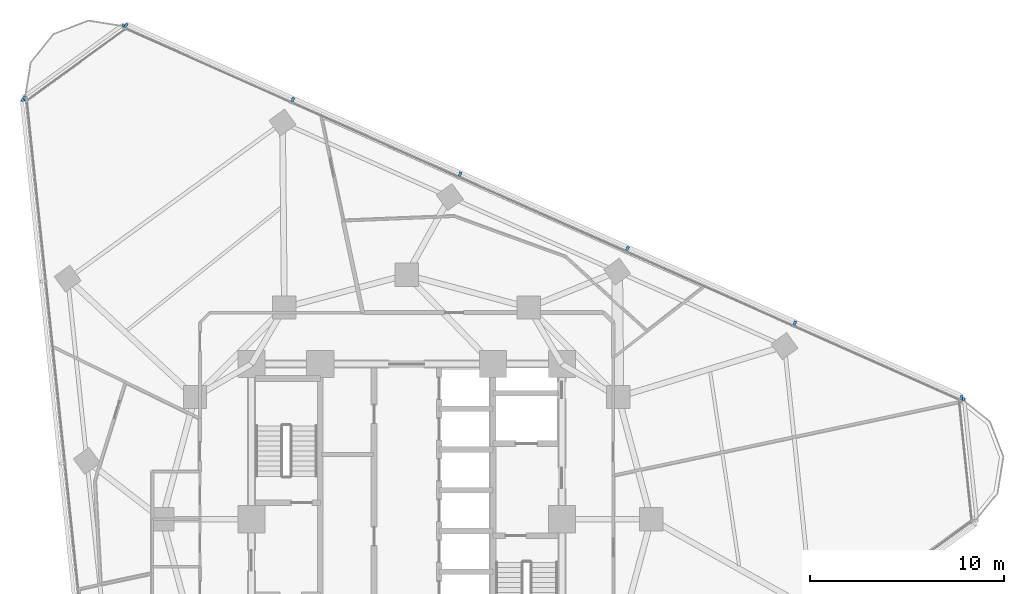
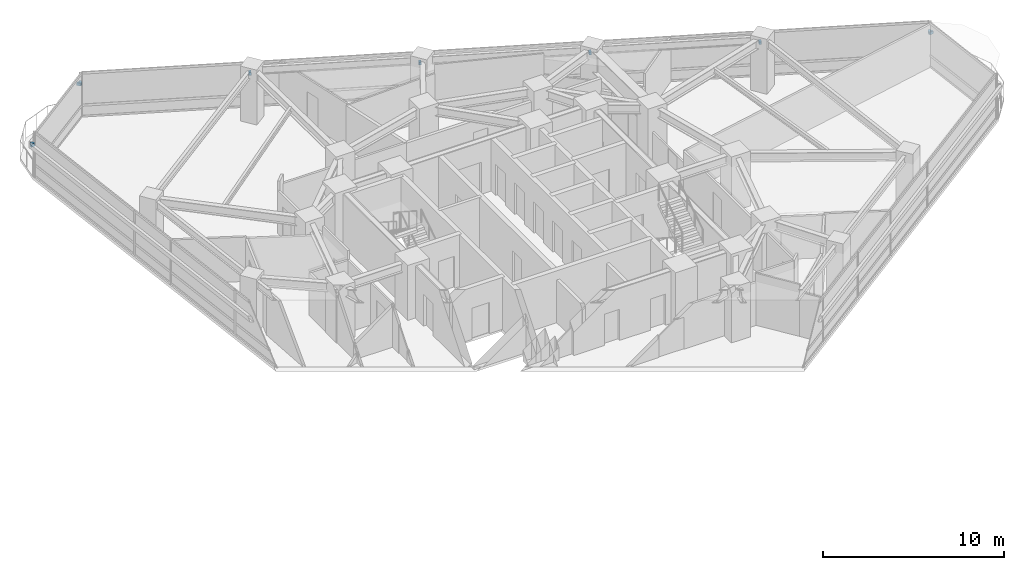
# One storey, part 11 of 14: 10 discrete accessories.
"""IFC4 building model written with IfcOpenShell, lengths in metres."""

from ifc_helpers import new_model, si_unit, direction, frame, origin, origin_2d, place, context, subcontext, project, spatial, rectangle, extrude, material, type_object, element, save


model = new_model("IFC4")

# Units and contexts
model_context = context("Model", 3, precision=1e-05, world=origin(), true_north=direction((0.0, 1.0)))
body_context = subcontext(model_context, "Body", "Model", "MODEL_VIEW")
ifc_project = project(units=[si_unit("LENGTHUNIT", "METRE"), si_unit("AREAUNIT", "SQUARE_METRE"), si_unit("VOLUMEUNIT", "CUBIC_METRE"), si_unit("PLANEANGLEUNIT", "RADIAN"), si_unit("MASSUNIT", "GRAM", prefix="KILO")], contexts=[model_context])

# Site, building, storey
site_placement = place(None, origin())
site = spatial("IfcSite", under=ifc_project, at=site_placement, CompositionType="ELEMENT")
building_placement = place(site_placement, origin())
building = spatial("IfcBuilding", under=site, at=building_placement, Name="Terralouvre Media Tower", CompositionType="ELEMENT")
storey_placement = place(building_placement, frame((0.0, 0.0, 173.10009765625)))
storey = spatial("IfcBuildingStorey", under=building, at=storey_placement, Name="L44", CompositionType="ELEMENT", Elevation=173.10009765625)

# Discrete accessories
ifc_material = material(Name="Anodised extruded aluminium 6063-T6", Category="aluminium")
discrete_accessory_type = type_object("IfcDiscreteAccessoryType", Name="Mullion Stand-Off Baguette Fixing Bracket BK-01", PredefinedType="BRACKET", material=ifc_material)
for number, where, z_axis, x_axis, name in (
    (1, (28.588623046875, 6.280517578125, 2.07373046875), (0.0, 0.0, 1.0), (-0.913545469547, 0.406736616337, 0.0), "CW-L44-F1 Baguette Outrigger Bracket 1.01"),
    (2, (19.9990234375, 10.104736328125, 2.07373046875), (0.0, 0.0, 1.0), (-0.913545469547, 0.406736616337, 0.0), "CW-L44-F1 Baguette Outrigger Bracket 1.02"),
    (3, (11.375, 13.9443359375, 2.07373046875), (0.0, 0.0, 1.0), (-0.913545469547, 0.406736616337, 0.0), "CW-L44-F1 Baguette Outrigger Bracket 1.03"),
    (4, (2.751220703125, 17.783935546875, 2.07373046875), (0.0, 0.0, 1.0), (-0.913545469547, 0.406736616337, 0.0), "CW-L44-F1 Baguette Outrigger Bracket 1.04"),
    (5, (-5.87255859375, 21.62353515625, 2.07373046875), (0.0, 0.0, 1.0), (-0.913545469547, 0.406736616337, 0.0), "CW-L44-F1 Baguette Outrigger Bracket 1.05"),
    (6, (-14.462158203125, 25.44775390625, 2.07373046875), (0.0, 0.0, 1.0), (-0.913545469547, 0.406736616337, 0.0), "CW-L44-F1 Baguette Outrigger Bracket 1.06"),
    (7, (-19.7333984375, 21.6181640625, 2.07373046875), (0.0, 0.0, 1.0), (0.104528376236, -0.994521904516, 0.0), "CW-L44-F2 Baguette Outrigger Bracket 1.01"),
    (8, (28.63037109375, 6.193359375, 2.07373046875), (0.0, 0.0, 1.0), (-0.10452850319, 0.994521891172, 0.0), "CW-L44-C1 Baguette Outrigger Bracket 1.02"),
    (9, (-14.554931640625, 25.420654296875, 2.07373046875), (0.0, 0.0, 1.0), (-0.809017438344, -0.587784641221, 0.0), "CW-L44-C2 Baguette Outrigger Bracket 1.01"),
    (10, (-19.678955078125, 21.697998046875, 2.07373046875), (0.0, 0.0, 1.0), (-0.809017438344, -0.587784641221, 0.0), "CW-L44-C2 Baguette Outrigger Bracket 1.02"),
):
    element("IfcDiscreteAccessory", number, at=place(storey_placement, frame(where, z_axis=z_axis, x_axis=x_axis)), inside=storey, type_object=discrete_accessory_type, Name=name, PredefinedType="BRACKET", context=body_context, shape_type="SweptSolid", body=[
        extrude(rectangle(XDim=0.139892578125, YDim=0.239990234375, at=origin_2d()), origin(), (0.0, 0.0, 1.0), 0.179931640625),
    ])

save(model, "model.ifc")
